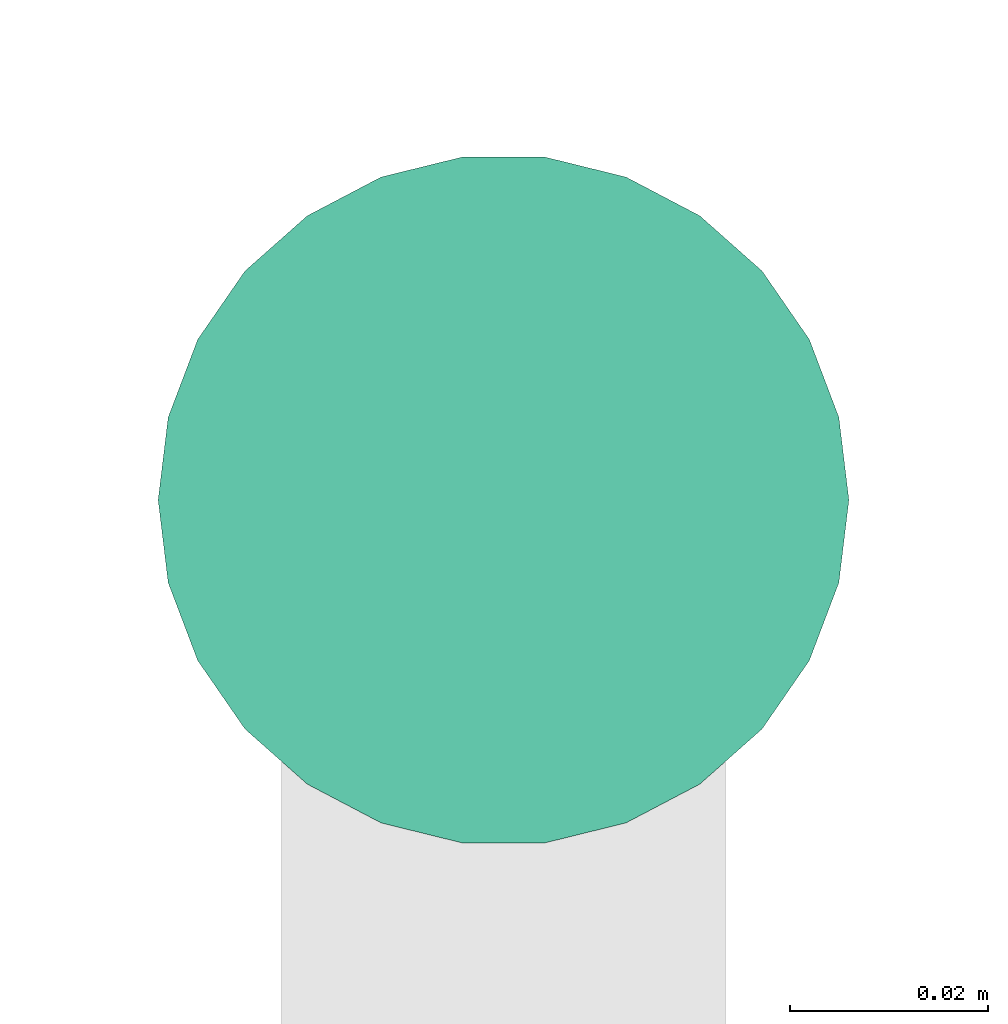
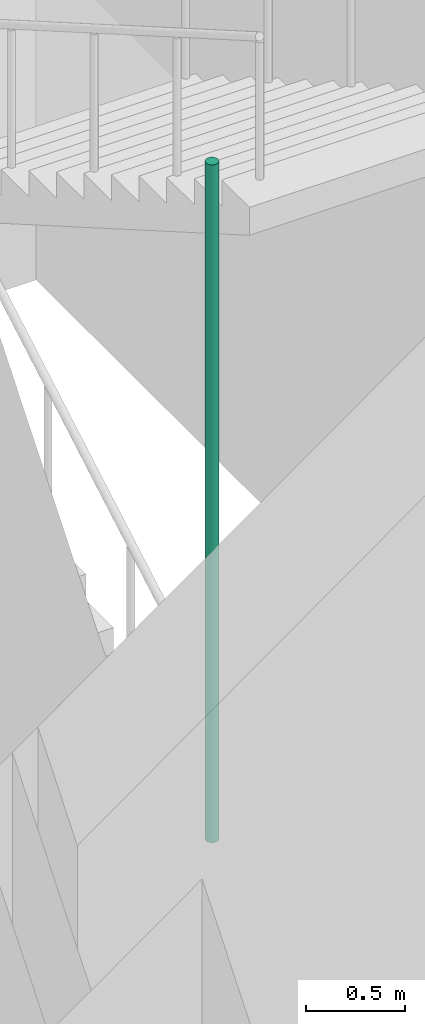
# One storey, part 34 of 38: 1 pipe segment.
"""IFC4 building model written with IfcOpenShell, lengths in metres."""

import ifcopenshell
import ifcopenshell.guid

model = None  # the IFC model being written
_history = None  # IfcOwnerHistory: only IFC2X3 demands one
_inside = {}  # id of a spatial element -> (the spatial element, [elements in it])
_under = {}  # id of a project, library or spatial element -> (it, [spatial elements below it])
_declared = {}  # id of a project -> (the project, [libraries it declares])
_typed = {}  # id of a type object -> (the type object, [elements of that type])
_made_of = {}  # id of a material, layer set ... -> (it, [elements and type objects made of it])


def new_model(schema):
    """Start an empty IFC model of exactly this schema.

    Asked for "IFC4X3", IfcOpenShell would pick the latest addendum, in which some entities
    have other attributes; the version numbers below select the first issue.
    IFC2X3 requires an IfcOwnerHistory on every rooted entity: one is made here for all.
    """
    global model, _history
    if schema == "IFC4X3":
        model = ifcopenshell.file(schema_version=(4, 3, 0, 0))
    else:
        model = ifcopenshell.file(schema=schema)
    _inside.clear()
    _under.clear()
    _declared.clear()
    _typed.clear()
    _made_of.clear()
    _history = None
    if model.schema == "IFC2X3":
        org = make("IfcOrganization", Name="unknown")
        user = make(
            "IfcPersonAndOrganization",
            ThePerson=make("IfcPerson", FamilyName="unknown"),
            TheOrganization=org,
        )
        app = make(
            "IfcApplication",
            ApplicationDeveloper=org,
            Version="unknown",
            ApplicationFullName="unknown",
            ApplicationIdentifier="unknown",
        )
        _history = make(
            "IfcOwnerHistory",
            OwningUser=user,
            OwningApplication=app,
            ChangeAction="ADDED",
            CreationDate=0,
        )
    return model


def make(cls, **values):
    """One entity of the class cls with the attributes given. An attribute that is None is left unset."""
    return model.create_entity(
        cls, **{name: value for name, value in values.items() if value is not None}
    )


def rooted(cls, **values):
    """An entity with a GlobalId (a new one), such as an element, a storey or a relation."""
    return make(cls, GlobalId=ifcopenshell.guid.new(), OwnerHistory=_history, **values)


def si_unit(unit_type, name, prefix=None):
    """IfcSIUnit, for example si_unit("LENGTHUNIT", "METRE", prefix="MILLI")."""
    return make("IfcSIUnit", UnitType=unit_type, Prefix=prefix, Name=name)


def assignment(units):
    """IfcUnitAssignment: the units of a project."""
    return None if units is None else make("IfcUnitAssignment", Units=units)


def point(xyz):
    """IfcCartesianPoint."""
    return None if xyz is None else make("IfcCartesianPoint", Coordinates=xyz)


def direction(xyz):
    """IfcDirection."""
    return None if xyz is None else make("IfcDirection", DirectionRatios=xyz)


def frame(location, z_axis=None, x_axis=None):
    """IfcAxis2Placement3D, a coordinate frame: its origin and axes. An axis left out is left unset."""
    return make(
        "IfcAxis2Placement3D",
        Location=point(location),
        Axis=direction(z_axis),
        RefDirection=direction(x_axis),
    )


def frame_2d(location, x_axis=None):
    """IfcAxis2Placement2D, a coordinate frame in the plane: its origin and x axis."""
    return make(
        "IfcAxis2Placement2D", Location=point(location), RefDirection=direction(x_axis)
    )


def origin():
    """The frame at (0, 0, 0) with its axes left unset."""
    return frame((0.0, 0.0, 0.0))


def origin_2d():
    """The frame at (0, 0) in the plane with its x axis left unset."""
    return frame_2d((0.0, 0.0))


def place(relative_to, where):
    """IfcLocalPlacement: puts the frame where relative to a parent placement (None: the world)."""
    return make(
        "IfcLocalPlacement", PlacementRelTo=relative_to, RelativePlacement=where
    )


def context(
    kind, dimensions, precision=None, world=None, true_north=None, identifier=None
):
    """IfcGeometricRepresentationContext, for example the 3D "Model" context."""
    return make(
        "IfcGeometricRepresentationContext",
        ContextIdentifier=identifier,
        ContextType=kind,
        CoordinateSpaceDimension=dimensions,
        Precision=precision,
        WorldCoordinateSystem=world,
        TrueNorth=true_north,
    )


def subcontext(parent, identifier, kind, view, scale=None):
    """IfcGeometricRepresentationSubContext, for example "Body" below "Model"."""
    return make(
        "IfcGeometricRepresentationSubContext",
        ContextIdentifier=identifier,
        ContextType=kind,
        ParentContext=parent,
        TargetScale=scale,
        TargetView=view,
    )


def project(units=None, contexts=None):
    """IfcProject with its units and contexts."""
    return rooted(
        "IfcProject",
        Name="project",
        RepresentationContexts=contexts,
        UnitsInContext=assignment(units),
    )


def spatial(cls, under=None, at=None, **own):
    """A site, building, storey or space (cls), placed at a placement, below another one or the project."""
    s = rooted(cls, ObjectPlacement=at, **own)
    if under is not None:
        _under.setdefault(under.id(), (under, []))[1].append(s)
    return s


def profile(cls, at=None, kind="AREA", **sizes):
    """A parametric profile (cls). Its sizes go by their IFC names, for example OverallWidth=200.0."""
    return make(cls, ProfileType=kind, Position=at, **sizes)


def circle(**sizes):
    """IfcCircleProfileDef."""
    return profile("IfcCircleProfileDef", **sizes)


def extrude(swept, where, along, depth):
    """IfcExtrudedAreaSolid: the profile swept, set in the frame where, extruded along a direction by depth."""
    return make(
        "IfcExtrudedAreaSolid",
        SweptArea=swept,
        Position=where,
        ExtrudedDirection=direction(along),
        Depth=depth,
    )


def shape(context_of_items, identifier, shape_type, items):
    """IfcShapeRepresentation: the items that make up one representation, for example the "Body"."""
    return make(
        "IfcShapeRepresentation",
        ContextOfItems=context_of_items,
        RepresentationIdentifier=identifier,
        RepresentationType=shape_type,
        Items=items,
    )


def made_of(thing, what):
    """Note that an element or type object is made of a material, layer set ...; save() writes the relation."""
    if what is not None:
        _made_of.setdefault(what.id(), (what, []))[1].append(thing)
    return thing


def element(
    cls,
    number,
    at=None,
    inside=None,
    cuts=None,
    type_object=None,
    material=None,
    context=None,
    identifier="Body",
    shape_type=None,
    held_by="IfcProductDefinitionShape",
    body=None,
    shapes=None,
    **own,
):
    """One element of the class cls, such as IfcWall. Its Tag is "e" and its number.

    at: its placement. inside: the storey or other place that contains it. cuts: it is an
    opening in that element (IfcRelVoidsElement). A single representation is given by context,
    identifier, shape_type and body (its items); several are given by shapes. held_by: the class
    of the entity that holds the representations. save() writes the other relations.
    """
    e = rooted(cls, Tag="e%d" % number, ObjectPlacement=at, **own)
    if body is not None:
        shapes = [shape(context, identifier, shape_type, body)]
    if shapes is not None:
        e.Representation = make(held_by, Representations=shapes)
    if inside is not None:
        _inside.setdefault(inside.id(), (inside, []))[1].append(e)
    if cuts is not None:
        rooted(
            "IfcRelVoidsElement", RelatingBuildingElement=cuts, RelatedOpeningElement=e
        )
    if type_object is not None:
        _typed.setdefault(type_object.id(), (type_object, []))[1].append(e)
    return made_of(e, material)


def aggregate(whole, parts):
    """IfcRelAggregates: a whole, such as a stair, and the parts it consists of."""
    return rooted("IfcRelAggregates", RelatingObject=whole, RelatedObjects=parts)


def save(model, path):
    """Write the relations noted so far, then the file.

    IfcRelAggregates (storeys below a building ...), IfcRelContainedInSpatialStructure (elements
    in a storey), IfcRelDefinesByType, IfcRelAssociatesMaterial and IfcRelDeclares: one each for
    every whole, place, type object, material and project.
    """
    for whole, parts in _under.values():
        aggregate(whole, parts)
    for where, things in _inside.values():
        rooted(
            "IfcRelContainedInSpatialStructure",
            RelatedElements=things,
            RelatingStructure=where,
        )
    for kind, things in _typed.values():
        rooted("IfcRelDefinesByType", RelatedObjects=things, RelatingType=kind)
    for what, things in _made_of.values():
        rooted("IfcRelAssociatesMaterial", RelatedObjects=things, RelatingMaterial=what)
    for by, libraries in _declared.values():
        rooted("IfcRelDeclares", RelatingContext=by, RelatedDefinitions=libraries)
    model.write(path)


model = new_model("IFC4")

# Units and contexts
model_context = context("Model", 3, precision=1e-05, world=origin(), true_north=direction((0.0, 1.0)))
body_context = subcontext(model_context, "Body", "Model", "MODEL_VIEW")
ifc_project = project(units=[si_unit("LENGTHUNIT", "METRE"), si_unit("AREAUNIT", "SQUARE_METRE"), si_unit("VOLUMEUNIT", "CUBIC_METRE"), si_unit("PLANEANGLEUNIT", "RADIAN"), si_unit("MASSUNIT", "GRAM", prefix="KILO")], contexts=[model_context])

# Site, building, storey
site_placement = place(None, origin())
site = spatial("IfcSite", under=ifc_project, at=site_placement, CompositionType="ELEMENT")
building_placement = place(site_placement, origin())
building = spatial("IfcBuilding", under=site, at=building_placement, Name="Nzadi Deep Aquarium and Research Tower", CompositionType="ELEMENT")
storey_placement = place(building_placement, frame((0.0, 0.0, 65.5)))
storey = spatial("IfcBuildingStorey", under=building, at=storey_placement, Name="L13", CompositionType="ELEMENT", Elevation=65.5)

# Pipe segment
pipe_segment_placement = place(storey_placement, frame((2.300048828125, 12.320068359375, 0.0), z_axis=(0.0, 0.0, 1.0), x_axis=(1.0, 0.0, 0.0)))
element("IfcPipeSegment", 1, at=pipe_segment_placement, inside=storey, Name="Dry riser ST-Z1-SW L13", PredefinedType="RIGIDSEGMENT", context=body_context, shape_type="SweptSolid", body=[
    extrude(circle(Radius=0.034912109375, at=origin_2d()), origin(), (0.0, 0.0, 1.0), 4.199951171875),
])

save(model, "model.ifc")
